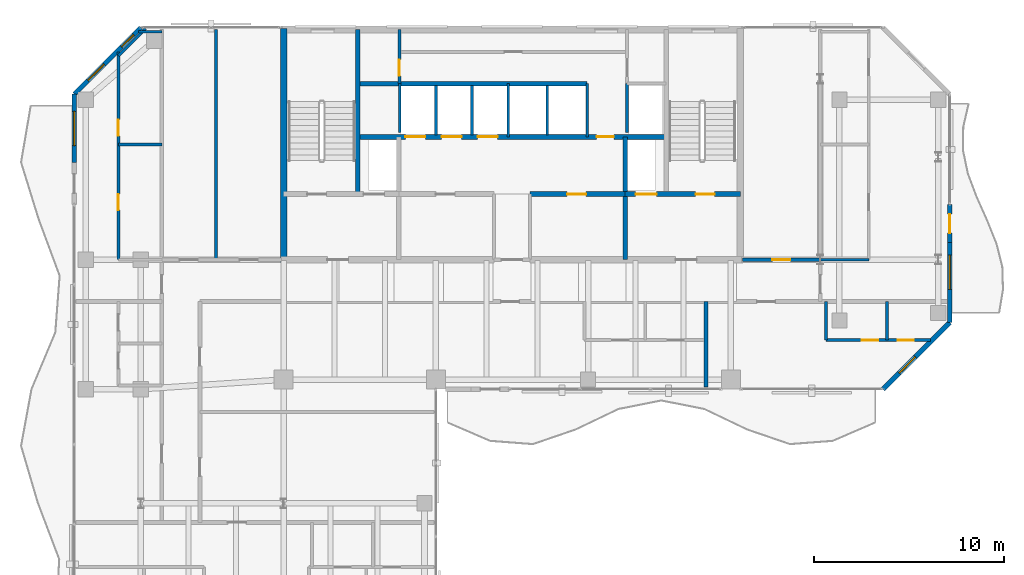
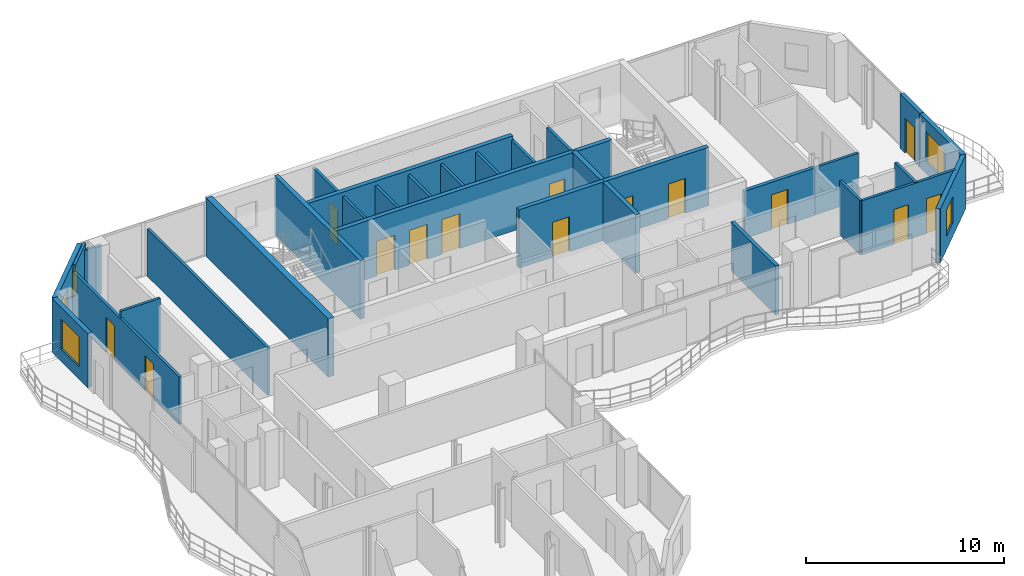
# One storey, part 19 of 23: 31 walls, 14 doors, 5 windows, 19 openings.
"""IFC4 building model written with IfcOpenShell, lengths in metres."""

from ifc_helpers import new_model, si_unit, direction, frame, frame_2d, origin, place, context, subcontext, project, spatial, rectangle, extrude, material, layer, layer_set, type_object, element, fill, save


model = new_model("IFC4")

# Units and contexts
model_context = context("Model", 3, precision=1e-05, world=origin(), true_north=direction((0.0, 1.0)))
body_context = subcontext(model_context, "Body", "Model", "MODEL_VIEW")
ifc_project = project(units=[si_unit("LENGTHUNIT", "METRE"), si_unit("AREAUNIT", "SQUARE_METRE"), si_unit("VOLUMEUNIT", "CUBIC_METRE"), si_unit("PLANEANGLEUNIT", "RADIAN"), si_unit("MASSUNIT", "GRAM", prefix="KILO")], contexts=[model_context])

# Site, building, storey
site_placement = place(None, origin())
site = spatial("IfcSite", under=ifc_project, at=site_placement, CompositionType="ELEMENT")
building_placement = place(site_placement, origin())
building = spatial("IfcBuilding", under=site, at=building_placement, Name="Catumbela Crestline Tower", CompositionType="ELEMENT")
storey_placement = place(building_placement, frame((0.0, 0.0, 190.2)))
storey = spatial("IfcBuildingStorey", under=building, at=storey_placement, Name="L49", CompositionType="ELEMENT", Elevation=190.2)

# Walls
ifc_material_1 = material(Name="Concrete C50/60", Category="concrete")
ifc_layer_1 = layer(ifc_material_1, 0.25, Name="Concrete C50/60")
ifc_layer_set_1 = layer_set([ifc_layer_1], Name="Concrete C50/60")
wall_type_1 = type_object("IfcWallType", Name="CW-250D", PredefinedType="SHEAR", material=ifc_layer_set_1)
wall_1_placement = place(storey_placement, frame((19.9, 34.25, 0.0), z_axis=(0.0, 0.0, 1.0), x_axis=(0.0, 1.0, 0.0)))
element("IfcWall", 1, at=wall_1_placement, inside=storey, type_object=wall_type_1, Name="L49 Structural Core Shear Wall WWEB", PredefinedType="SHEAR", context=body_context, shape_type="SweptSolid", body=[
    extrude(rectangle(XDim=8.65, YDim=0.25, at=frame_2d((4.325, 0.0))), origin(), (0.0, 0.0, 1.0), 3.6),
])
wall_2_placement = place(storey_placement, frame((33.95, 30.8, 0.0), z_axis=(0.0, 0.0, 1.0), x_axis=(0.0, 1.0, 0.0)))
element("IfcWall", 2, at=wall_2_placement, inside=storey, type_object=wall_type_1, Name="L49 Structural Core Shear Wall FFE", PredefinedType="SHEAR", context=body_context, shape_type="SweptSolid", body=[
    extrude(rectangle(XDim=6.45, YDim=0.25, at=frame_2d((3.225, 0.0))), origin(), (0.0, 0.0, 1.0), 3.6),
])

# Wall, openings, doors
wall_3_placement = place(storey_placement, frame((33.95, 34.25, 0.0), z_axis=(0.0, 0.0, 1.0), x_axis=(1.0, 0.0, 0.0)))
wall_3 = element("IfcWall", 3, at=wall_3_placement, inside=storey, type_object=wall_type_1, Name="L49 Structural Core Shear Wall ST2S", PredefinedType="SHEAR", context=body_context, shape_type="SweptSolid", body=[
    extrude(rectangle(XDim=6.05, YDim=0.25, at=frame_2d((3.025, 0.0))), origin(), (0.0, 0.0, 1.0), 3.6),
])
opening_1_placement = place(wall_3_placement, frame((3.7, 0.0, 0.0)))
opening_1 = element("IfcOpeningElement", 4, at=opening_1_placement, cuts=wall_3, Name="Opening DF9-100", PredefinedType="OPENING", context=body_context, shape_type="SweptSolid", body=[
    extrude(rectangle(XDim=1.0, YDim=2.15, at=frame_2d((0.5, 1.075))), frame((0.0, 0.135, 0.0), z_axis=(0.0, -1.0, 0.0), x_axis=(1.0, 0.0, 0.0)), (0.0, 0.0, 1.0), 0.27),
])
opening_2_placement = place(wall_3_placement, frame((0.55, 0.0, 0.0)))
opening_2 = element("IfcOpeningElement", 5, at=opening_2_placement, cuts=wall_3, Name="Opening LD-110", PredefinedType="OPENING", context=body_context, shape_type="SweptSolid", body=[
    extrude(rectangle(XDim=1.1, YDim=2.15, at=frame_2d((0.55, 1.075))), frame((0.0, 0.135, 0.0), z_axis=(0.0, -1.0, 0.0), x_axis=(1.0, 0.0, 0.0)), (0.0, 0.0, 1.0), 0.27),
])
ifc_material_2 = material(Name="Stainless steel EN 1.4401", Category="steel")
door_type_1 = type_object("IfcDoorType", Name="DF9-100", OperationType="NOTDEFINED", PredefinedType="DOOR", material=ifc_material_2)
door_1_placement = place(opening_1_placement, origin())
door_1 = element("IfcDoor", 6, at=door_1_placement, inside=storey, type_object=door_type_1, Name="L49 Interior Door DR-L49-ST02", OperationType="SINGLE_SWING_RIGHT", OverallHeight=2.15, OverallWidth=1.0, PredefinedType="DOOR", context=body_context, shape_type="SweptSolid", body=[
    extrude(rectangle(XDim=1.0, YDim=2.15, at=frame_2d((0.5, 1.075))), frame((0.0, 0.025, 0.0), z_axis=(0.0, -1.0, 0.0), x_axis=(1.0, 0.0, 0.0)), (0.0, 0.0, 1.0), 0.05),
])
fill(opening_1, door_1)
door_type_2 = type_object("IfcDoorType", Name="LD-110", OperationType="NOTDEFINED", PredefinedType="DOOR", material=ifc_material_2)
door_2_placement = place(opening_2_placement, origin())
door_2 = element("IfcDoor", 7, at=door_2_placement, inside=storey, type_object=door_type_2, Name="L49 Lift Landing Sliding Door FL-02", OperationType="DOUBLE_DOOR_SLIDING", OverallHeight=2.15, OverallWidth=1.1, PredefinedType="DOOR", context=body_context, shape_type="SweptSolid", body=[
    extrude(rectangle(XDim=1.1, YDim=2.15, at=frame_2d((0.55, 1.075))), frame((0.0, 0.025, 0.0), z_axis=(0.0, -1.0, 0.0), x_axis=(1.0, 0.0, 0.0)), (0.0, 0.0, 1.0), 0.05),
])
fill(opening_2, door_2)

# Wall, opening, door
wall_4_placement = place(storey_placement, frame((28.95, 34.25, 0.0), z_axis=(0.0, 0.0, 1.0), x_axis=(1.0, 0.0, 0.0)))
wall_4 = element("IfcWall", 8, at=wall_4_placement, inside=storey, type_object=wall_type_1, Name="L49 Structural Core Shear Wall LIFTS-E", PredefinedType="SHEAR", context=body_context, shape_type="SweptSolid", body=[
    extrude(rectangle(XDim=5.0, YDim=0.25, at=frame_2d((2.5, 0.0))), origin(), (0.0, 0.0, 1.0), 3.6),
])
opening_3_placement = place(wall_4_placement, frame((1.95, 0.0, 0.0)))
opening_3 = element("IfcOpeningElement", 9, at=opening_3_placement, cuts=wall_4, Name="Opening DF9-100", PredefinedType="OPENING", context=body_context, shape_type="SweptSolid", body=[
    extrude(rectangle(XDim=1.0, YDim=2.15, at=frame_2d((0.5, 1.075))), frame((0.0, 0.135, 0.0), z_axis=(0.0, -1.0, 0.0), x_axis=(1.0, 0.0, 0.0)), (0.0, 0.0, 1.0), 0.27),
])
door_3_placement = place(opening_3_placement, origin())
door_3 = element("IfcDoor", 10, at=door_3_placement, inside=storey, type_object=door_type_1, Name="L49 Interior Door DR-L49-RECL2", OperationType="SINGLE_SWING_RIGHT", OverallHeight=2.15, OverallWidth=1.0, PredefinedType="DOOR", context=body_context, shape_type="SweptSolid", body=[
    extrude(rectangle(XDim=1.0, YDim=2.15, at=frame_2d((0.5, 1.075))), frame((0.0, 0.025, 0.0), z_axis=(0.0, -1.0, 0.0), x_axis=(1.0, 0.0, 0.0)), (0.0, 0.0, 1.0), 0.05),
])
fill(opening_3, door_3)

# Wall, openings, doors
wall_5_placement = place(storey_placement, frame((19.9, 37.25, 0.0), z_axis=(0.0, 0.0, 1.0), x_axis=(1.0, 0.0, 0.0)))
wall_5 = element("IfcWall", 11, at=wall_5_placement, inside=storey, type_object=wall_type_1, Name="L49 Structural Core Shear Wall LIFTN", PredefinedType="SHEAR", context=body_context, shape_type="SweptSolid", body=[
    extrude(rectangle(XDim=16.2, YDim=0.25, at=frame_2d((8.1, 0.0))), origin(), (0.0, 0.0, 1.0), 3.6),
])
opening_4_placement = place(wall_5_placement, frame((12.55, 0.0, 0.0)))
opening_4 = element("IfcOpeningElement", 12, at=opening_4_placement, cuts=wall_5, Name="Opening DF9-090", PredefinedType="OPENING", context=body_context, shape_type="SweptSolid", body=[
    extrude(rectangle(XDim=0.9, YDim=2.15, at=frame_2d((0.45, 1.075))), frame((0.0, 0.135, 0.0), z_axis=(0.0, -1.0, 0.0), x_axis=(1.0, 0.0, 0.0)), (0.0, 0.0, 1.0), 0.27),
])
opening_5_placement = place(wall_5_placement, frame((2.5, 0.0, 0.0)))
opening_5 = element("IfcOpeningElement", 13, at=opening_5_placement, cuts=wall_5, Name="Opening LD-105", PredefinedType="OPENING", context=body_context, shape_type="SweptSolid", body=[
    extrude(rectangle(XDim=1.05, YDim=2.15, at=frame_2d((0.525, 1.075))), frame((0.0, 0.135, 0.0), z_axis=(0.0, -1.0, 0.0), x_axis=(1.0, 0.0, 0.0)), (0.0, 0.0, 1.0), 0.27),
])
opening_6_placement = place(wall_5_placement, frame((4.4, 0.0, 0.0)))
opening_6 = element("IfcOpeningElement", 14, at=opening_6_placement, cuts=wall_5, Name="Opening LD-105", PredefinedType="OPENING", context=body_context, shape_type="SweptSolid", body=[
    extrude(rectangle(XDim=1.05, YDim=2.15, at=frame_2d((0.525, 1.075))), frame((0.0, 0.135, 0.0), z_axis=(0.0, -1.0, 0.0), x_axis=(1.0, 0.0, 0.0)), (0.0, 0.0, 1.0), 0.27),
])
opening_7_placement = place(wall_5_placement, frame((6.3, 0.0, 0.0)))
opening_7 = element("IfcOpeningElement", 15, at=opening_7_placement, cuts=wall_5, Name="Opening LD-105", PredefinedType="OPENING", context=body_context, shape_type="SweptSolid", body=[
    extrude(rectangle(XDim=1.05, YDim=2.15, at=frame_2d((0.525, 1.075))), frame((0.0, 0.135, 0.0), z_axis=(0.0, -1.0, 0.0), x_axis=(1.0, 0.0, 0.0)), (0.0, 0.0, 1.0), 0.27),
])
door_type_3 = type_object("IfcDoorType", Name="DF9-090", OperationType="NOTDEFINED", PredefinedType="DOOR", material=ifc_material_2)
door_4_placement = place(opening_4_placement, origin())
door_4 = element("IfcDoor", 16, at=door_4_placement, inside=storey, type_object=door_type_3, Name="L49 Interior Door DR-L49-CPAS1", OperationType="SINGLE_SWING_LEFT", OverallHeight=2.15, OverallWidth=0.9, PredefinedType="DOOR", context=body_context, shape_type="SweptSolid", body=[
    extrude(rectangle(XDim=0.9, YDim=2.15, at=frame_2d((0.45, 1.075))), frame((0.0, 0.025, 0.0), z_axis=(0.0, -1.0, 0.0), x_axis=(1.0, 0.0, 0.0)), (0.0, 0.0, 1.0), 0.05),
])
fill(opening_4, door_4)
door_type_4 = type_object("IfcDoorType", Name="LD-105", OperationType="NOTDEFINED", PredefinedType="DOOR", material=ifc_material_2)
door_5_placement = place(opening_5_placement, origin())
door_5 = element("IfcDoor", 17, at=door_5_placement, inside=storey, type_object=door_type_4, Name="L49 Lift Landing Sliding Door PL-H1", OperationType="DOUBLE_DOOR_SLIDING", OverallHeight=2.15, OverallWidth=1.05, PredefinedType="DOOR", context=body_context, shape_type="SweptSolid", body=[
    extrude(rectangle(XDim=1.05, YDim=2.15, at=frame_2d((0.525, 1.075))), frame((0.0, 0.025, 0.0), z_axis=(0.0, -1.0, 0.0), x_axis=(1.0, 0.0, 0.0)), (0.0, 0.0, 1.0), 0.05),
])
fill(opening_5, door_5)
door_6_placement = place(opening_6_placement, origin())
door_6 = element("IfcDoor", 18, at=door_6_placement, inside=storey, type_object=door_type_4, Name="L49 Lift Landing Sliding Door PL-H2", OperationType="DOUBLE_DOOR_SLIDING", OverallHeight=2.15, OverallWidth=1.05, PredefinedType="DOOR", context=body_context, shape_type="SweptSolid", body=[
    extrude(rectangle(XDim=1.05, YDim=2.15, at=frame_2d((0.525, 1.075))), frame((0.0, 0.025, 0.0), z_axis=(0.0, -1.0, 0.0), x_axis=(1.0, 0.0, 0.0)), (0.0, 0.0, 1.0), 0.05),
])
fill(opening_6, door_6)
door_7_placement = place(opening_7_placement, origin())
door_7 = element("IfcDoor", 19, at=door_7_placement, inside=storey, type_object=door_type_4, Name="L49 Lift Landing Sliding Door PL-H3", OperationType="DOUBLE_DOOR_SLIDING", OverallHeight=2.15, OverallWidth=1.05, PredefinedType="DOOR", context=body_context, shape_type="SweptSolid", body=[
    extrude(rectangle(XDim=1.05, YDim=2.15, at=frame_2d((0.525, 1.075))), frame((0.0, 0.025, 0.0), z_axis=(0.0, -1.0, 0.0), x_axis=(1.0, 0.0, 0.0)), (0.0, 0.0, 1.0), 0.05),
])
fill(opening_7, door_7)

# Walls
wall_6_placement = place(storey_placement, frame((19.9, 40.05, 0.0), z_axis=(0.0, 0.0, 1.0), x_axis=(1.0, 0.0, 0.0)))
element("IfcWall", 20, at=wall_6_placement, inside=storey, type_object=wall_type_1, Name="L49 Structural Core Shear Wall COREN", PredefinedType="SHEAR", context=body_context, shape_type="SweptSolid", body=[
    extrude(rectangle(XDim=12.05, YDim=0.25, at=frame_2d((6.025, 0.0))), origin(), (0.0, 0.0, 1.0), 3.6),
])
ifc_layer_2 = layer(ifc_material_1, 0.35, Name="Concrete C50/60")
ifc_layer_set_2 = layer_set([ifc_layer_2], Name="Concrete C50/60")
wall_type_2 = type_object("IfcWallType", Name="CW-350B", PredefinedType="SHEAR", material=ifc_layer_set_2)
wall_7_placement = place(storey_placement, frame((16.0, 30.65, 0.0), z_axis=(0.0, 0.0, 1.0), x_axis=(0.0, 1.0, 0.0)))
element("IfcWall", 21, at=wall_7_placement, inside=storey, type_object=wall_type_2, Name="L49 Structural Core Shear Wall W", PredefinedType="SHEAR", context=body_context, shape_type="SweptSolid", body=[
    extrude(rectangle(XDim=12.3, YDim=0.35, at=frame_2d((6.15, 0.0))), origin(), (0.0, 0.0, 1.0), 3.6),
])

# Wall, opening, door
ifc_material_3 = material(Name="Acoustic gypsum and mineral-wool partition")
ifc_layer_3 = layer(ifc_material_3, 0.2, Name="Acoustic gypsum and mineral-wool partition")
ifc_layer_set_3 = layer_set([ifc_layer_3], Name="Acoustic gypsum and mineral-wool partition")
wall_type_3 = type_object("IfcWallType", Name="WC-200", PredefinedType="PARTITIONING", material=ifc_layer_set_3)
wall_8_placement = place(storey_placement, frame((40.1, 30.8, 0.0), z_axis=(0.0, 0.0, 1.0), x_axis=(1.0, 0.0, 0.0)))
wall_8 = element("IfcWall", 22, at=wall_8_placement, inside=storey, type_object=wall_type_3, Name="L49 Interior Partition PW-L49-NERM-ENT", PredefinedType="PARTITIONING", context=body_context, shape_type="SweptSolid", body=[
    extrude(rectangle(XDim=4.1, YDim=0.2, at=frame_2d((2.05, 0.0))), origin(), (0.0, 0.0, 1.0), 2.92),
])
opening_8_placement = place(wall_8_placement, frame((1.575, 0.0, 0.0)))
opening_8 = element("IfcOpeningElement", 23, at=opening_8_placement, cuts=wall_8, Name="Opening DF6-095", PredefinedType="OPENING", context=body_context, shape_type="SweptSolid", body=[
    extrude(rectangle(XDim=0.95, YDim=2.15, at=frame_2d((0.475, 1.075))), frame((0.0, 0.11, 0.0), z_axis=(0.0, -1.0, 0.0), x_axis=(1.0, 0.0, 0.0)), (0.0, 0.0, 1.0), 0.22),
])
ifc_material_4 = material(Name="Aluminium alloy AW-6060-T66", Category="aluminium")
door_type_5 = type_object("IfcDoorType", Name="DF6-095", OperationType="NOTDEFINED", PredefinedType="DOOR", material=ifc_material_4)
door_8_placement = place(opening_8_placement, origin())
door_8 = element("IfcDoor", 24, at=door_8_placement, inside=storey, type_object=door_type_5, Name="L49 Interior Door DR-L49-NERM-ENT", OperationType="SINGLE_SWING_LEFT", OverallHeight=2.15, OverallWidth=0.95, PredefinedType="DOOR", context=body_context, shape_type="SweptSolid", body=[
    extrude(rectangle(XDim=0.95, YDim=2.15, at=frame_2d((0.475, 1.075))), frame((0.0, 0.025, 0.0), z_axis=(0.0, -1.0, 0.0), x_axis=(1.0, 0.0, 0.0)), (0.0, 0.0, 1.0), 0.05),
])
fill(opening_8, door_8)

# Wall, opening, window
ifc_material_5 = material(Name="Angolan grey-ochre granite", Category="masonry")
ifc_layer_4 = layer(ifc_material_5, 0.25, Name="Angolan grey-ochre granite")
ifc_layer_set_4 = layer_set([ifc_layer_4], Name="Angolan grey-ochre granite")
wall_type_4 = type_object("IfcWallType", Name="WE-250", PredefinedType="STANDARD", material=ifc_layer_set_4)
wall_9_placement = place(storey_placement, frame((47.5, 24.0, 0.0), z_axis=(0.0, 0.0, 1.0), x_axis=(0.707106781187, 0.707106781187, 0.0)))
wall_9 = element("IfcWall", 25, at=wall_9_placement, inside=storey, type_object=wall_type_4, Name="L49 Granite Punched Window Wall 4-1", PredefinedType="STANDARD", context=body_context, shape_type="SweptSolid", body=[
    extrude(rectangle(XDim=4.9497, YDim=0.25, at=frame_2d((2.4748, 0.0))), origin(), (0.0, 0.0, 1.0), 3.33),
])
opening_9_placement = place(wall_9_placement, frame((1.1962, 0.0, 0.85)))
opening_9 = element("IfcOpeningElement", 26, at=opening_9_placement, cuts=wall_9, Name="Opening WN-02", PredefinedType="OPENING", context=body_context, shape_type="SweptSolid", body=[
    extrude(rectangle(XDim=1.2, YDim=1.6, at=frame_2d((0.6, 0.8))), frame((0.0, 0.135, 0.0), z_axis=(0.0, -1.0, 0.0), x_axis=(1.0, 0.0, 0.0)), (0.0, 0.0, 1.0), 0.27),
])
ifc_material_6 = material(Name="Low-E laminated solar-control double glazing", Category="glass")
window_type_1 = type_object("IfcWindowType", Name="WO-1200", PartitioningType="SINGLE_PANEL", PredefinedType="WINDOW", material=ifc_material_6)
window_1_placement = place(opening_9_placement, origin())
window_1 = element("IfcWindow", 27, at=window_1_placement, inside=storey, type_object=window_type_1, Name="L49 Facade Vision Window 318", OverallHeight=1.6, OverallWidth=1.2, PartitioningType="SINGLE_PANEL", PredefinedType="WINDOW", context=body_context, shape_type="SweptSolid", body=[
    extrude(rectangle(XDim=1.2, YDim=1.6, at=frame_2d((0.6, 0.8))), frame((0.0, 0.03, 0.0), z_axis=(0.0, -1.0, 0.0), x_axis=(1.0, 0.0, 0.0)), (0.0, 0.0, 1.0), 0.06),
])
fill(opening_9, window_1)

# Wall, opening, door
wall_10_placement = place(storey_placement, frame((51.0, 31.7, 0.0), z_axis=(0.0, 0.0, 1.0), x_axis=(0.0, 1.0, 0.0)))
wall_10 = element("IfcWall", 28, at=wall_10_placement, inside=storey, type_object=wall_type_4, Name="L49 Exterior Threshold Portal Wall DR-L49-WBAL-2", PredefinedType="STANDARD", context=body_context, shape_type="SweptSolid", body=[
    extrude(rectangle(XDim=2.0, YDim=0.25, at=frame_2d((1.0, 0.0))), origin(), (0.0, 0.0, 1.0), 3.33),
])
opening_10_placement = place(wall_10_placement, frame((0.5, 0.0, 0.0)))
opening_10 = element("IfcOpeningElement", 29, at=opening_10_placement, cuts=wall_10, Name="Opening DB-L49-2", PredefinedType="OPENING", context=body_context, shape_type="SweptSolid", body=[
    extrude(rectangle(XDim=1.0, YDim=2.15, at=frame_2d((0.5, 1.075))), frame((0.0, 0.135, 0.0), z_axis=(0.0, -1.0, 0.0), x_axis=(1.0, 0.0, 0.0)), (0.0, 0.0, 1.0), 0.27),
])
door_type_6 = type_object("IfcDoorType", Name="DB-1000", OperationType="NOTDEFINED", PredefinedType="DOOR", material=ifc_material_4)
door_9_placement = place(opening_10_placement, origin())
door_9 = element("IfcDoor", 30, at=door_9_placement, inside=storey, type_object=door_type_6, Name="L49 Wave Balcony Terrace Door 2", OperationType="SINGLE_SWING_RIGHT", OverallHeight=2.15, OverallWidth=1.0, PredefinedType="DOOR", context=body_context, shape_type="SweptSolid", body=[
    extrude(rectangle(XDim=1.0, YDim=2.15, at=frame_2d((0.5, 1.075))), frame((0.0, 0.025, 0.0), z_axis=(0.0, -1.0, 0.0), x_axis=(1.0, 0.0, 0.0)), (0.0, 0.0, 1.0), 0.05),
])
fill(opening_10, door_9)

# Wall, opening, window
wall_11_placement = place(storey_placement, frame((51.0, 27.5, 0.0), z_axis=(0.0, 0.0, 1.0), x_axis=(0.0, 1.0, 0.0)))
wall_11 = element("IfcWall", 31, at=wall_11_placement, inside=storey, type_object=wall_type_4, Name="L49 Granite Punched Window Wall 5-1", PredefinedType="STANDARD", context=body_context, shape_type="SweptSolid", body=[
    extrude(rectangle(XDim=4.2, YDim=0.25, at=frame_2d((2.1, 0.0))), origin(), (0.0, 0.0, 1.0), 3.33),
])
opening_11_placement = place(wall_11_placement, frame((1.74, 0.0, 0.75)))
opening_11 = element("IfcOpeningElement", 32, at=opening_11_placement, cuts=wall_11, Name="Opening WN-01", PredefinedType="OPENING", context=body_context, shape_type="SweptSolid", body=[
    extrude(rectangle(XDim=1.8, YDim=1.85, at=frame_2d((0.9, 0.925))), frame((0.0, 0.135, 0.0), z_axis=(0.0, -1.0, 0.0), x_axis=(1.0, 0.0, 0.0)), (0.0, 0.0, 1.0), 0.27),
])
window_type_2 = type_object("IfcWindowType", Name="WF-1800", PartitioningType="SINGLE_PANEL", PredefinedType="WINDOW", material=ifc_material_6)
window_2_placement = place(opening_11_placement, origin())
window_2 = element("IfcWindow", 33, at=window_2_placement, inside=storey, type_object=window_type_2, Name="L49 Facade Vision Window 319", OverallHeight=1.85, OverallWidth=1.8, PartitioningType="SINGLE_PANEL", PredefinedType="WINDOW", context=body_context, shape_type="SweptSolid", body=[
    extrude(rectangle(XDim=1.8, YDim=1.85, at=frame_2d((0.9, 0.925))), frame((0.0, 0.03, 0.0), z_axis=(0.0, -1.0, 0.0), x_axis=(1.0, 0.0, 0.0)), (0.0, 0.0, 1.0), 0.06),
])
fill(opening_11, window_2)

# Wall, openings, windows
wall_12_placement = place(storey_placement, frame((8.5, 43.0, 0.0), z_axis=(0.0, 0.0, 1.0), x_axis=(-0.707106781187, -0.707106781187, 0.0)))
wall_12 = element("IfcWall", 34, at=wall_12_placement, inside=storey, type_object=wall_type_4, Name="L49 Granite Punched Window Wall 8-1", PredefinedType="STANDARD", context=body_context, shape_type="SweptSolid", body=[
    extrude(rectangle(XDim=4.9497, YDim=0.25, at=frame_2d((2.4748, 0.0))), origin(), (0.0, 0.0, 1.0), 3.33),
])
opening_12_placement = place(wall_12_placement, frame((0.54, 0.0, 0.9)))
opening_12 = element("IfcOpeningElement", 35, at=opening_12_placement, cuts=wall_12, Name="Opening WN-03", PredefinedType="OPENING", context=body_context, shape_type="SweptSolid", body=[
    extrude(rectangle(XDim=0.9, YDim=1.55, at=frame_2d((0.45, 0.775))), frame((0.0, 0.135, 0.0), z_axis=(0.0, -1.0, 0.0), x_axis=(1.0, 0.0, 0.0)), (0.0, 0.0, 1.0), 0.27),
])
opening_13_placement = place(wall_12_placement, frame((2.7346, 0.0, 0.85)))
opening_13 = element("IfcOpeningElement", 36, at=opening_13_placement, cuts=wall_12, Name="Opening WN-02", PredefinedType="OPENING", context=body_context, shape_type="SweptSolid", body=[
    extrude(rectangle(XDim=1.2, YDim=1.6, at=frame_2d((0.6, 0.8))), frame((0.0, 0.135, 0.0), z_axis=(0.0, -1.0, 0.0), x_axis=(1.0, 0.0, 0.0)), (0.0, 0.0, 1.0), 0.27),
])
window_type_3 = type_object("IfcWindowType", Name="WO-0900", PartitioningType="SINGLE_PANEL", PredefinedType="WINDOW", material=ifc_material_6)
window_3_placement = place(opening_12_placement, origin())
window_3 = element("IfcWindow", 37, at=window_3_placement, inside=storey, type_object=window_type_3, Name="L49 Facade Vision Window 321", OverallHeight=1.55, OverallWidth=0.9, PartitioningType="SINGLE_PANEL", PredefinedType="WINDOW", context=body_context, shape_type="SweptSolid", body=[
    extrude(rectangle(XDim=0.9, YDim=1.55, at=frame_2d((0.45, 0.775))), frame((0.0, 0.03, 0.0), z_axis=(0.0, -1.0, 0.0), x_axis=(1.0, 0.0, 0.0)), (0.0, 0.0, 1.0), 0.06),
])
fill(opening_12, window_3)
window_4_placement = place(opening_13_placement, origin())
window_4 = element("IfcWindow", 38, at=window_4_placement, inside=storey, type_object=window_type_1, Name="L49 Facade Vision Window 322", OverallHeight=1.6, OverallWidth=1.2, PartitioningType="SINGLE_PANEL", PredefinedType="WINDOW", context=body_context, shape_type="SweptSolid", body=[
    extrude(rectangle(XDim=1.2, YDim=1.6, at=frame_2d((0.6, 0.8))), frame((0.0, 0.03, 0.0), z_axis=(0.0, -1.0, 0.0), x_axis=(1.0, 0.0, 0.0)), (0.0, 0.0, 1.0), 0.06),
])
fill(opening_13, window_4)

# Wall, opening, window
wall_13_placement = place(storey_placement, frame((5.0, 39.5, 0.0), z_axis=(0.0, 0.0, 1.0), x_axis=(0.0, -1.0, 0.0)))
wall_13 = element("IfcWall", 39, at=wall_13_placement, inside=storey, type_object=wall_type_4, Name="L49 Granite Punched Window Wall 9-1", PredefinedType="STANDARD", context=body_context, shape_type="SweptSolid", body=[
    extrude(rectangle(XDim=3.6, YDim=0.25, at=frame_2d((1.8, 0.0))), origin(), (0.0, 0.0, 1.0), 3.33),
])
opening_14_placement = place(wall_13_placement, frame((0.9, 0.0, 0.75)))
opening_14 = element("IfcOpeningElement", 40, at=opening_14_placement, cuts=wall_13, Name="Opening WN-01", PredefinedType="OPENING", context=body_context, shape_type="SweptSolid", body=[
    extrude(rectangle(XDim=1.8, YDim=1.85, at=frame_2d((0.9, 0.925))), frame((0.0, 0.135, 0.0), z_axis=(0.0, -1.0, 0.0), x_axis=(1.0, 0.0, 0.0)), (0.0, 0.0, 1.0), 0.27),
])
window_5_placement = place(opening_14_placement, origin())
window_5 = element("IfcWindow", 41, at=window_5_placement, inside=storey, type_object=window_type_2, Name="L49 Facade Vision Window 323", OverallHeight=1.85, OverallWidth=1.8, PartitioningType="SINGLE_PANEL", PredefinedType="WINDOW", context=body_context, shape_type="SweptSolid", body=[
    extrude(rectangle(XDim=1.8, YDim=1.85, at=frame_2d((0.9, 0.925))), frame((0.0, 0.03, 0.0), z_axis=(0.0, -1.0, 0.0), x_axis=(1.0, 0.0, 0.0)), (0.0, 0.0, 1.0), 0.06),
])
fill(opening_14, window_5)

# Wall, opening, door
ifc_layer_5 = layer(ifc_material_3, 0.15, Name="Acoustic gypsum and mineral-wool partition")
ifc_layer_set_5 = layer_set([ifc_layer_5], Name="Acoustic gypsum and mineral-wool partition")
wall_type_5 = type_object("IfcWallType", Name="WP-150", PredefinedType="PARTITIONING", material=ifc_layer_set_5)
wall_14_placement = place(storey_placement, frame((22.08, 40.05, 0.0), z_axis=(0.0, 0.0, 1.0), x_axis=(0.0, 1.0, 0.0)))
wall_14 = element("IfcWall", 42, at=wall_14_placement, inside=storey, type_object=wall_type_5, Name="L49 Interior Partition PW-L49-CR-WCW", PredefinedType="PARTITIONING", context=body_context, shape_type="SweptSolid", body=[
    extrude(rectangle(XDim=2.85, YDim=0.15, at=frame_2d((1.425, 0.0))), origin(), (0.0, 0.0, 1.0), 3.33),
])
opening_15_placement = place(wall_14_placement, frame((0.41, 0.0, 0.0)))
opening_15 = element("IfcOpeningElement", 43, at=opening_15_placement, cuts=wall_14, Name="Opening DI-085", PredefinedType="OPENING", context=body_context, shape_type="SweptSolid", body=[
    extrude(rectangle(XDim=0.85, YDim=2.15, at=frame_2d((0.425, 1.075))), frame((0.0, 0.085, 0.0), z_axis=(0.0, -1.0, 0.0), x_axis=(1.0, 0.0, 0.0)), (0.0, 0.0, 1.0), 0.17),
])
door_type_7 = type_object("IfcDoorType", Name="DI-085", OperationType="NOTDEFINED", PredefinedType="DOOR", material=ifc_material_4)
door_10_placement = place(opening_15_placement, origin())
door_10 = element("IfcDoor", 44, at=door_10_placement, inside=storey, type_object=door_type_7, Name="L49 Interior Door DR-L49-CRWC", OperationType="SINGLE_SWING_LEFT", OverallHeight=2.15, OverallWidth=0.85, PredefinedType="DOOR", context=body_context, shape_type="SweptSolid", body=[
    extrude(rectangle(XDim=0.85, YDim=2.15, at=frame_2d((0.425, 1.075))), frame((0.0, 0.025, 0.0), z_axis=(0.0, -1.0, 0.0), x_axis=(1.0, 0.0, 0.0)), (0.0, 0.0, 1.0), 0.05),
])
fill(opening_15, door_10)

# Wall
wall_15_placement = place(storey_placement, frame((7.32, 36.85, 0.0), z_axis=(0.0, 0.0, 1.0), x_axis=(1.0, 0.0, 0.0)))
element("IfcWall", 45, at=wall_15_placement, inside=storey, type_object=wall_type_5, Name="L49 Interior Partition PW-L49-NW1-KBM", PredefinedType="PARTITIONING", context=body_context, shape_type="SweptSolid", body=[
    extrude(rectangle(XDim=2.28, YDim=0.15, at=frame_2d((1.14, 0.0))), origin(), (0.0, 0.0, 1.0), 3.33),
])

# Wall, openings, doors
wall_16_placement = place(storey_placement, frame((7.32, 30.8, 0.0), z_axis=(0.0, 0.0, 1.0), x_axis=(0.0, 1.0, 0.0)))
wall_16 = element("IfcWall", 46, at=wall_16_placement, inside=storey, type_object=wall_type_5, Name="L49 Interior Partition PW-L49-NW1-SK1", PredefinedType="PARTITIONING", context=body_context, shape_type="SweptSolid", body=[
    extrude(rectangle(XDim=10.92, YDim=0.15, at=frame_2d((5.46, 0.0))), origin(), (0.0, 0.0, 1.0), 2.92),
])
opening_16_placement = place(wall_16_placement, frame((2.6, 0.0, 0.0)))
opening_16 = element("IfcOpeningElement", 47, at=opening_16_placement, cuts=wall_16, Name="Opening DI-085", PredefinedType="OPENING", context=body_context, shape_type="SweptSolid", body=[
    extrude(rectangle(XDim=0.85, YDim=2.15, at=frame_2d((0.425, 1.075))), frame((0.0, 0.085, 0.0), z_axis=(0.0, -1.0, 0.0), x_axis=(1.0, 0.0, 0.0)), (0.0, 0.0, 1.0), 0.17),
])
opening_17_placement = place(wall_16_placement, frame((6.5117, 0.0, 0.0)))
opening_17 = element("IfcOpeningElement", 48, at=opening_17_placement, cuts=wall_16, Name="Opening DI-085", PredefinedType="OPENING", context=body_context, shape_type="SweptSolid", body=[
    extrude(rectangle(XDim=0.85, YDim=2.15, at=frame_2d((0.425, 1.075))), frame((0.0, 0.085, 0.0), z_axis=(0.0, -1.0, 0.0), x_axis=(1.0, 0.0, 0.0)), (0.0, 0.0, 1.0), 0.17),
])
door_11_placement = place(opening_16_placement, origin())
door_11 = element("IfcDoor", 49, at=door_11_placement, inside=storey, type_object=door_type_7, Name="L49 Interior Door DR-L49-NW1-KIT", OperationType="SINGLE_SWING_LEFT", OverallHeight=2.15, OverallWidth=0.85, PredefinedType="DOOR", context=body_context, shape_type="SweptSolid", body=[
    extrude(rectangle(XDim=0.85, YDim=2.15, at=frame_2d((0.425, 1.075))), frame((0.0, 0.025, 0.0), z_axis=(0.0, -1.0, 0.0), x_axis=(1.0, 0.0, 0.0)), (0.0, 0.0, 1.0), 0.05),
])
fill(opening_16, door_11)
door_12_placement = place(opening_17_placement, origin())
door_12 = element("IfcDoor", 50, at=door_12_placement, inside=storey, type_object=door_type_7, Name="L49 Interior Door DR-L49-NW1-BTH", OperationType="SINGLE_SWING_RIGHT", OverallHeight=2.15, OverallWidth=0.85, PredefinedType="DOOR", context=body_context, shape_type="SweptSolid", body=[
    extrude(rectangle(XDim=0.85, YDim=2.15, at=frame_2d((0.425, 1.075))), frame((0.0, 0.025, 0.0), z_axis=(0.0, -1.0, 0.0), x_axis=(1.0, 0.0, 0.0)), (0.0, 0.0, 1.0), 0.05),
])
fill(opening_17, door_12)

# Walls
wall_17_placement = place(storey_placement, frame((7.32, 41.5089, 0.0), z_axis=(0.0, 0.0, 1.0), x_axis=(0.707106781187, 0.707106781187, 0.0)))
element("IfcWall", 51, at=wall_17_placement, inside=storey, type_object=wall_type_5, Name="L49 Interior Partition PW-L49-NW1-BTH-BCL-2", PredefinedType="PARTITIONING", context=body_context, shape_type="SweptSolid", body=[
    extrude(rectangle(XDim=2.0087, YDim=0.15, at=frame_2d((1.0044, 0.0))), origin(), (0.0, 0.0, 1.0), 3.33),
])
wall_18_placement = place(storey_placement, frame((8.38, 42.78, 0.0), z_axis=(0.0, 0.0, 1.0), x_axis=(1.0, 0.0, 0.0)))
element("IfcWall", 52, at=wall_18_placement, inside=storey, type_object=wall_type_5, Name="L49 Interior Partition PW-L49-NW1-BTH-BCL-3", PredefinedType="PARTITIONING", context=body_context, shape_type="SweptSolid", body=[
    extrude(rectangle(XDim=1.22, YDim=0.15, at=frame_2d((0.61, 0.0))), origin(), (0.0, 0.0, 1.0), 3.02),
])
wall_19_placement = place(storey_placement, frame((12.45, 30.8, 0.0), z_axis=(0.0, 0.0, 1.0), x_axis=(0.0, 1.0, 0.0)))
element("IfcWall", 53, at=wall_19_placement, inside=storey, type_object=wall_type_5, Name="L49 Interior Partition PW-L49-NWSTM", PredefinedType="PARTITIONING", context=body_context, shape_type="SweptSolid", body=[
    extrude(rectangle(XDim=12.1, YDim=0.15, at=frame_2d((6.05, 0.0))), origin(), (0.0, 0.0, 1.0), 2.92),
])
wall_20_placement = place(storey_placement, frame((44.2, 30.8, 0.0), z_axis=(0.0, 0.0, 1.0), x_axis=(1.0, 0.0, 0.0)))
element("IfcWall", 54, at=wall_20_placement, inside=storey, type_object=wall_type_5, Name="L49 Interior Partition PW-L49-NE1-KBS", PredefinedType="PARTITIONING", context=body_context, shape_type="SweptSolid", body=[
    extrude(rectangle(XDim=2.546, YDim=0.15, at=frame_2d((1.273, 0.0))), origin(), (0.0, 0.0, 1.0), 2.92),
])
for number, where, z_axis, x_axis, name in (
    (55, (44.5, 26.576, 0.0), (0.0, 0.0, 1.0), (0.0, 1.0, 0.0), "L49 Interior Partition PW-L49-S2-KBW"),
    (56, (47.7, 26.576, 0.0), (0.0, 0.0, 1.0), (0.0, 1.0, 0.0), "L49 Interior Partition PW-L49-S2-KBM"),
):
    element("IfcWall", number, at=place(storey_placement, frame(where, z_axis=z_axis, x_axis=x_axis)), inside=storey, type_object=wall_type_5, Name=name, PredefinedType="PARTITIONING", context=body_context, shape_type="SweptSolid", body=[
        extrude(rectangle(XDim=2.024, YDim=0.15, at=frame_2d((1.012, 0.0))), origin(), (0.0, 0.0, 1.0), 3.33),
    ])

# Wall, openings, doors
wall_21_placement = place(storey_placement, frame((44.5, 26.576, 0.0), z_axis=(0.0, 0.0, 1.0), x_axis=(1.0, 0.0, 0.0)))
wall_21 = element("IfcWall", 57, at=wall_21_placement, inside=storey, type_object=wall_type_5, Name="L49 Interior Partition PW-L49-S2-KBD1", PredefinedType="PARTITIONING", context=body_context, shape_type="SweptSolid", body=[
    extrude(rectangle(XDim=5.476, YDim=0.15, at=frame_2d((2.738, 0.0))), origin(), (0.0, 0.0, 1.0), 3.33),
])
opening_18_placement = place(wall_21_placement, frame((1.8821, 0.0, 0.0)))
opening_18 = element("IfcOpeningElement", 58, at=opening_18_placement, cuts=wall_21, Name="Opening DI-085", PredefinedType="OPENING", context=body_context, shape_type="SweptSolid", body=[
    extrude(rectangle(XDim=0.85, YDim=2.15, at=frame_2d((0.425, 1.075))), frame((0.0, 0.085, 0.0), z_axis=(0.0, -1.0, 0.0), x_axis=(1.0, 0.0, 0.0)), (0.0, 0.0, 1.0), 0.17),
])
opening_19_placement = place(wall_21_placement, frame((3.7704, 0.0, 0.0)))
opening_19 = element("IfcOpeningElement", 59, at=opening_19_placement, cuts=wall_21, Name="Opening DI-085", PredefinedType="OPENING", context=body_context, shape_type="SweptSolid", body=[
    extrude(rectangle(XDim=0.85, YDim=2.15, at=frame_2d((0.425, 1.075))), frame((0.0, 0.085, 0.0), z_axis=(0.0, -1.0, 0.0), x_axis=(1.0, 0.0, 0.0)), (0.0, 0.0, 1.0), 0.17),
])
door_13_placement = place(opening_18_placement, origin())
door_13 = element("IfcDoor", 60, at=door_13_placement, inside=storey, type_object=door_type_7, Name="L49 Interior Door DR-L49-S2-BTH", OperationType="SINGLE_SWING_RIGHT", OverallHeight=2.15, OverallWidth=0.85, PredefinedType="DOOR", context=body_context, shape_type="SweptSolid", body=[
    extrude(rectangle(XDim=0.85, YDim=2.15, at=frame_2d((0.425, 1.075))), frame((0.0, 0.025, 0.0), z_axis=(0.0, -1.0, 0.0), x_axis=(1.0, 0.0, 0.0)), (0.0, 0.0, 1.0), 0.05),
])
fill(opening_18, door_13)
door_14_placement = place(opening_19_placement, origin())
door_14 = element("IfcDoor", 61, at=door_14_placement, inside=storey, type_object=door_type_7, Name="L49 Interior Door DR-L49-S2-KIT", OperationType="SINGLE_SWING_LEFT", OverallHeight=2.15, OverallWidth=0.85, PredefinedType="DOOR", context=body_context, shape_type="SweptSolid", body=[
    extrude(rectangle(XDim=0.85, YDim=2.15, at=frame_2d((0.425, 1.075))), frame((0.0, 0.025, 0.0), z_axis=(0.0, -1.0, 0.0), x_axis=(1.0, 0.0, 0.0)), (0.0, 0.0, 1.0), 0.05),
])
fill(opening_19, door_14)

# Walls
ifc_layer_6 = layer(ifc_material_3, 0.2, Name="Acoustic gypsum and mineral-wool partition")
ifc_layer_set_6 = layer_set([ifc_layer_6], Name="Acoustic gypsum and mineral-wool partition")
wall_type_6 = type_object("IfcWallType", Name="WY-200", PredefinedType="PARTITIONING", material=ifc_layer_set_6)
wall_22_placement = place(storey_placement, frame((38.2, 24.1, 0.0), z_axis=(0.0, 0.0, 1.0), x_axis=(0.0, 1.0, 0.0)))
element("IfcWall", 62, at=wall_22_placement, inside=storey, type_object=wall_type_6, Name="L49 Interior Partition PW-L49-RSPP-2", PredefinedType="PARTITIONING", context=body_context, shape_type="SweptSolid", body=[
    extrude(rectangle(XDim=4.5, YDim=0.2, at=frame_2d((2.25, 0.0))), origin(), (0.0, 0.0, 1.0), 3.02),
])
ifc_layer_7 = layer(ifc_material_3, 0.15, Name="Acoustic gypsum and mineral-wool partition")
ifc_layer_set_7 = layer_set([ifc_layer_7], Name="Acoustic gypsum and mineral-wool partition")
wall_type_7 = type_object("IfcWallType", Name="WS-150", PredefinedType="PLUMBINGWALL", material=ifc_layer_set_7)
wall_23_placement = place(storey_placement, frame((22.1, 37.4897, 0.0), z_axis=(0.0, 0.0, 1.0), x_axis=(0.0, 1.0, 0.0)))
element("IfcWall", 63, at=wall_23_placement, inside=storey, type_object=wall_type_7, Name="L49 Interior Partition PW-L49-SHH0", PredefinedType="PLUMBINGWALL", context=body_context, shape_type="SweptSolid", body=[
    extrude(rectangle(XDim=2.5603, YDim=0.15, at=frame_2d((1.2801, 0.0))), origin(), (0.0, 0.0, 1.0), 3.33),
])
wall_24_placement = place(storey_placement, frame((27.8, 37.25, 0.0), z_axis=(0.0, 0.0, 1.0), x_axis=(0.0, 1.0, 0.0)))
element("IfcWall", 64, at=wall_24_placement, inside=storey, type_object=wall_type_7, Name="L49 Interior Partition PW-L49-SHH3", PredefinedType="PLUMBINGWALL", context=body_context, shape_type="SweptSolid", body=[
    extrude(rectangle(XDim=2.8, YDim=0.15, at=frame_2d((1.4, 0.0))), origin(), (0.0, 0.0, 1.0), 3.33),
])
for number, where, z_axis, x_axis, name in (
    (65, (24.0, 37.35, 0.0), (0.0, 0.0, 1.0), (0.0, 1.0, 0.0), "L49 Interior Partition PW-L49-SHH1"),
    (66, (25.9, 37.35, 0.0), (0.0, 0.0, 1.0), (0.0, 1.0, 0.0), "L49 Interior Partition PW-L49-SHH2"),
):
    element("IfcWall", number, at=place(storey_placement, frame(where, z_axis=z_axis, x_axis=x_axis)), inside=storey, type_object=wall_type_7, Name=name, PredefinedType="PLUMBINGWALL", context=body_context, shape_type="SweptSolid", body=[
        extrude(rectangle(XDim=2.6, YDim=0.15, at=frame_2d((1.3, 0.0))), origin(), (0.0, 0.0, 1.0), 3.33),
    ])
wall_25_placement = place(storey_placement, frame((31.95, 37.25, 0.0), z_axis=(0.0, 0.0, 1.0), x_axis=(0.0, 1.0, 0.0)))
element("IfcWall", 67, at=wall_25_placement, inside=storey, type_object=wall_type_7, Name="L49 Interior Partition PW-L49-SHEX2E", PredefinedType="PLUMBINGWALL", context=body_context, shape_type="SweptSolid", body=[
    extrude(rectangle(XDim=2.8, YDim=0.15, at=frame_2d((1.4, 0.0))), origin(), (0.0, 0.0, 1.0), 3.33),
])
wall_26_placement = place(storey_placement, frame((29.85, 37.35, 0.0), z_axis=(0.0, 0.0, 1.0), x_axis=(0.0, 1.0, 0.0)))
element("IfcWall", 68, at=wall_26_placement, inside=storey, type_object=wall_type_7, Name="L49 Interior Partition PW-L49-SHEX1", PredefinedType="PLUMBINGWALL", context=body_context, shape_type="SweptSolid", body=[
    extrude(rectangle(XDim=2.6, YDim=0.15, at=frame_2d((1.3, 0.0))), origin(), (0.0, 0.0, 1.0), 3.33),
])
wall_27_placement = place(storey_placement, frame((34.05, 37.4734, 0.0), z_axis=(0.0, 0.0, 1.0), x_axis=(0.0, 1.0, 0.0)))
element("IfcWall", 69, at=wall_27_placement, inside=storey, type_object=wall_type_7, Name="L49 Interior Partition PW-L49-RISW", PredefinedType="PLUMBINGWALL", context=body_context, shape_type="SweptSolid", body=[
    extrude(rectangle(XDim=2.5766, YDim=0.15, at=frame_2d((1.2883, 0.0))), origin(), (0.0, 0.0, 1.0), 3.33),
])

save(model, "model.ifc")
